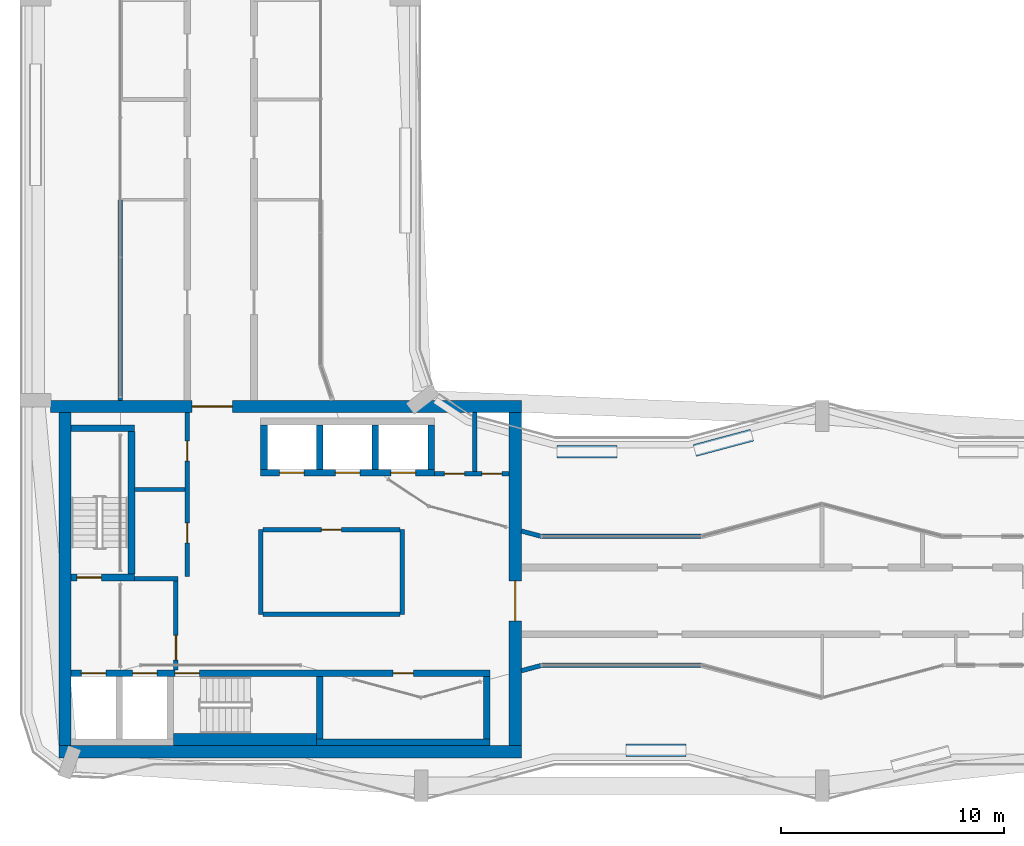
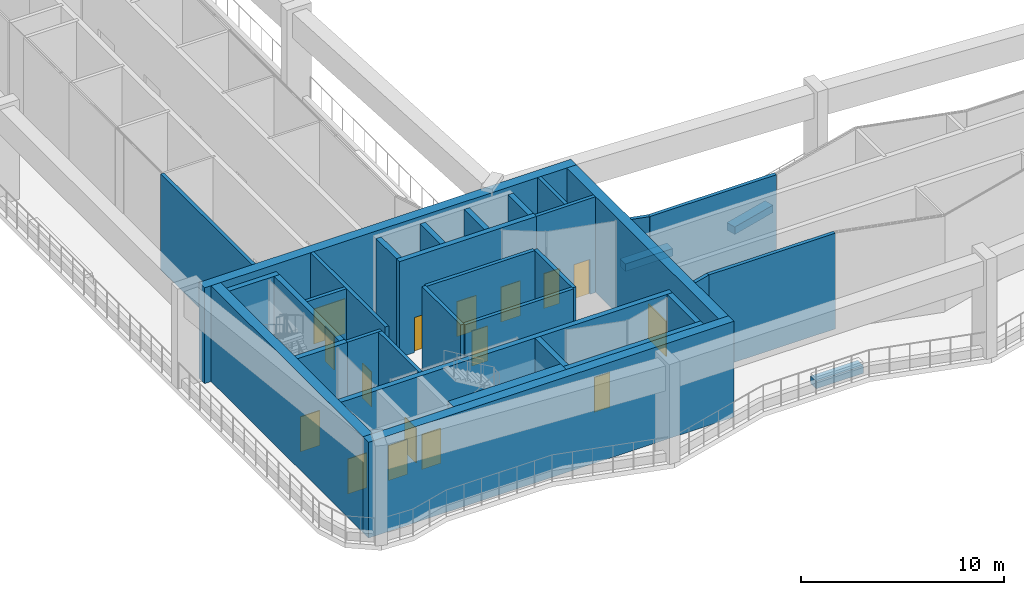
# One storey, part 10 of 17: 35 walls, 16 doors, 16 openings.
"""IFC4 building model written with IfcOpenShell, lengths in metres."""

import ifcopenshell
import ifcopenshell.guid

model = None  # the IFC model being written
_history = None  # IfcOwnerHistory: only IFC2X3 demands one
_inside = {}  # id of a spatial element -> (the spatial element, [elements in it])
_under = {}  # id of a project, library or spatial element -> (it, [spatial elements below it])
_declared = {}  # id of a project -> (the project, [libraries it declares])
_typed = {}  # id of a type object -> (the type object, [elements of that type])
_made_of = {}  # id of a material, layer set ... -> (it, [elements and type objects made of it])


def new_model(schema):
    """Start an empty IFC model of exactly this schema.

    Asked for "IFC4X3", IfcOpenShell would pick the latest addendum, in which some entities
    have other attributes; the version numbers below select the first issue.
    IFC2X3 requires an IfcOwnerHistory on every rooted entity: one is made here for all.
    """
    global model, _history
    if schema == "IFC4X3":
        model = ifcopenshell.file(schema_version=(4, 3, 0, 0))
    else:
        model = ifcopenshell.file(schema=schema)
    _inside.clear()
    _under.clear()
    _declared.clear()
    _typed.clear()
    _made_of.clear()
    _history = None
    if model.schema == "IFC2X3":
        org = make("IfcOrganization", Name="unknown")
        user = make(
            "IfcPersonAndOrganization",
            ThePerson=make("IfcPerson", FamilyName="unknown"),
            TheOrganization=org,
        )
        app = make(
            "IfcApplication",
            ApplicationDeveloper=org,
            Version="unknown",
            ApplicationFullName="unknown",
            ApplicationIdentifier="unknown",
        )
        _history = make(
            "IfcOwnerHistory",
            OwningUser=user,
            OwningApplication=app,
            ChangeAction="ADDED",
            CreationDate=0,
        )
    return model


def make(cls, **values):
    """One entity of the class cls with the attributes given. An attribute that is None is left unset."""
    return model.create_entity(
        cls, **{name: value for name, value in values.items() if value is not None}
    )


def rooted(cls, **values):
    """An entity with a GlobalId (a new one), such as an element, a storey or a relation."""
    return make(cls, GlobalId=ifcopenshell.guid.new(), OwnerHistory=_history, **values)


def si_unit(unit_type, name, prefix=None):
    """IfcSIUnit, for example si_unit("LENGTHUNIT", "METRE", prefix="MILLI")."""
    return make("IfcSIUnit", UnitType=unit_type, Prefix=prefix, Name=name)


def assignment(units):
    """IfcUnitAssignment: the units of a project."""
    return None if units is None else make("IfcUnitAssignment", Units=units)


def point(xyz):
    """IfcCartesianPoint."""
    return None if xyz is None else make("IfcCartesianPoint", Coordinates=xyz)


def direction(xyz):
    """IfcDirection."""
    return None if xyz is None else make("IfcDirection", DirectionRatios=xyz)


def frame(location, z_axis=None, x_axis=None):
    """IfcAxis2Placement3D, a coordinate frame: its origin and axes. An axis left out is left unset."""
    return make(
        "IfcAxis2Placement3D",
        Location=point(location),
        Axis=direction(z_axis),
        RefDirection=direction(x_axis),
    )


def frame_2d(location, x_axis=None):
    """IfcAxis2Placement2D, a coordinate frame in the plane: its origin and x axis."""
    return make(
        "IfcAxis2Placement2D", Location=point(location), RefDirection=direction(x_axis)
    )


def origin():
    """The frame at (0, 0, 0) with its axes left unset."""
    return frame((0.0, 0.0, 0.0))


def place(relative_to, where):
    """IfcLocalPlacement: puts the frame where relative to a parent placement (None: the world)."""
    return make(
        "IfcLocalPlacement", PlacementRelTo=relative_to, RelativePlacement=where
    )


def context(
    kind, dimensions, precision=None, world=None, true_north=None, identifier=None
):
    """IfcGeometricRepresentationContext, for example the 3D "Model" context."""
    return make(
        "IfcGeometricRepresentationContext",
        ContextIdentifier=identifier,
        ContextType=kind,
        CoordinateSpaceDimension=dimensions,
        Precision=precision,
        WorldCoordinateSystem=world,
        TrueNorth=true_north,
    )


def subcontext(parent, identifier, kind, view, scale=None):
    """IfcGeometricRepresentationSubContext, for example "Body" below "Model"."""
    return make(
        "IfcGeometricRepresentationSubContext",
        ContextIdentifier=identifier,
        ContextType=kind,
        ParentContext=parent,
        TargetScale=scale,
        TargetView=view,
    )


def project(units=None, contexts=None):
    """IfcProject with its units and contexts."""
    return rooted(
        "IfcProject",
        Name="project",
        RepresentationContexts=contexts,
        UnitsInContext=assignment(units),
    )


def spatial(cls, under=None, at=None, **own):
    """A site, building, storey or space (cls), placed at a placement, below another one or the project."""
    s = rooted(cls, ObjectPlacement=at, **own)
    if under is not None:
        _under.setdefault(under.id(), (under, []))[1].append(s)
    return s


def profile(cls, at=None, kind="AREA", **sizes):
    """A parametric profile (cls). Its sizes go by their IFC names, for example OverallWidth=200.0."""
    return make(cls, ProfileType=kind, Position=at, **sizes)


def rectangle(**sizes):
    """IfcRectangleProfileDef."""
    return profile("IfcRectangleProfileDef", **sizes)


def extrude(swept, where, along, depth):
    """IfcExtrudedAreaSolid: the profile swept, set in the frame where, extruded along a direction by depth."""
    return make(
        "IfcExtrudedAreaSolid",
        SweptArea=swept,
        Position=where,
        ExtrudedDirection=direction(along),
        Depth=depth,
    )


def shape(context_of_items, identifier, shape_type, items):
    """IfcShapeRepresentation: the items that make up one representation, for example the "Body"."""
    return make(
        "IfcShapeRepresentation",
        ContextOfItems=context_of_items,
        RepresentationIdentifier=identifier,
        RepresentationType=shape_type,
        Items=items,
    )


def material(Name=None, Category=None):
    """IfcMaterial."""
    return make("IfcMaterial", Name=Name, Category=Category)


def layer(
    of_material, thickness, ventilated=None, Name=None, Category=None, Priority=None
):
    """IfcMaterialLayer: one layer of a wall or slab, of a material (None: an air gap)."""
    return make(
        "IfcMaterialLayer",
        Material=of_material,
        LayerThickness=thickness,
        IsVentilated=ventilated,
        Name=Name,
        Category=Category,
        Priority=Priority,
    )


def layer_set(layers, Name=None):
    """IfcMaterialLayerSet."""
    return make("IfcMaterialLayerSet", MaterialLayers=layers, LayerSetName=Name)


def made_of(thing, what):
    """Note that an element or type object is made of a material, layer set ...; save() writes the relation."""
    if what is not None:
        _made_of.setdefault(what.id(), (what, []))[1].append(thing)
    return thing


def type_object(cls, material=None, **own):
    """A type object (cls), such as IfcWallType, which elements share."""
    return made_of(rooted(cls, **own), material)


def element(
    cls,
    number,
    at=None,
    inside=None,
    cuts=None,
    type_object=None,
    material=None,
    context=None,
    identifier="Body",
    shape_type=None,
    held_by="IfcProductDefinitionShape",
    body=None,
    shapes=None,
    **own,
):
    """One element of the class cls, such as IfcWall. Its Tag is "e" and its number.

    at: its placement. inside: the storey or other place that contains it. cuts: it is an
    opening in that element (IfcRelVoidsElement). A single representation is given by context,
    identifier, shape_type and body (its items); several are given by shapes. held_by: the class
    of the entity that holds the representations. save() writes the other relations.
    """
    e = rooted(cls, Tag="e%d" % number, ObjectPlacement=at, **own)
    if body is not None:
        shapes = [shape(context, identifier, shape_type, body)]
    if shapes is not None:
        e.Representation = make(held_by, Representations=shapes)
    if inside is not None:
        _inside.setdefault(inside.id(), (inside, []))[1].append(e)
    if cuts is not None:
        rooted(
            "IfcRelVoidsElement", RelatingBuildingElement=cuts, RelatedOpeningElement=e
        )
    if type_object is not None:
        _typed.setdefault(type_object.id(), (type_object, []))[1].append(e)
    return made_of(e, material)


def fill(opening, filler):
    """IfcRelFillsElement: the door or window that sits in an opening."""
    return rooted(
        "IfcRelFillsElement",
        RelatingOpeningElement=opening,
        RelatedBuildingElement=filler,
    )


def aggregate(whole, parts):
    """IfcRelAggregates: a whole, such as a stair, and the parts it consists of."""
    return rooted("IfcRelAggregates", RelatingObject=whole, RelatedObjects=parts)


def save(model, path):
    """Write the relations noted so far, then the file.

    IfcRelAggregates (storeys below a building ...), IfcRelContainedInSpatialStructure (elements
    in a storey), IfcRelDefinesByType, IfcRelAssociatesMaterial and IfcRelDeclares: one each for
    every whole, place, type object, material and project.
    """
    for whole, parts in _under.values():
        aggregate(whole, parts)
    for where, things in _inside.values():
        rooted(
            "IfcRelContainedInSpatialStructure",
            RelatedElements=things,
            RelatingStructure=where,
        )
    for kind, things in _typed.values():
        rooted("IfcRelDefinesByType", RelatedObjects=things, RelatingType=kind)
    for what, things in _made_of.values():
        rooted("IfcRelAssociatesMaterial", RelatedObjects=things, RelatingMaterial=what)
    for by, libraries in _declared.values():
        rooted("IfcRelDeclares", RelatingContext=by, RelatedDefinitions=libraries)
    model.write(path)


model = new_model("IFC4")

# Units and contexts
model_context = context("Model", 3, precision=1e-05, world=origin(), true_north=direction((0.0, 1.0)))
body_context = subcontext(model_context, "Body", "Model", "MODEL_VIEW")
ifc_project = project(units=[si_unit("LENGTHUNIT", "METRE"), si_unit("AREAUNIT", "SQUARE_METRE"), si_unit("VOLUMEUNIT", "CUBIC_METRE"), si_unit("PLANEANGLEUNIT", "RADIAN"), si_unit("MASSUNIT", "GRAM", prefix="KILO")], contexts=[model_context])

# Site, building, storey
site_placement = place(None, origin())
site = spatial("IfcSite", under=ifc_project, at=site_placement, CompositionType="ELEMENT")
building_placement = place(site_placement, origin())
building = spatial("IfcBuilding", under=site, at=building_placement, Name="Plateau Cross Towers", CompositionType="ELEMENT")
storey_placement = place(building_placement, frame((0.0, 0.0, 184.89990234375)))
storey = spatial("IfcBuildingStorey", under=building, at=storey_placement, Name="L48", CompositionType="ELEMENT", Elevation=184.89990234375)

# Wall, opening, door
ifc_material_1 = material(Name="Concrete block, plastered both sides", Category="concrete")
ifc_layer_1 = layer(ifc_material_1, 0.199951171875)
ifc_layer_set_1 = layer_set([ifc_layer_1], Name="Concrete block, plastered both sides")
wall_type_1 = type_object("IfcWallType", Name="Core partition 200", PredefinedType="PARTITIONING", material=ifc_layer_set_1)
wall_1_placement = place(storey_placement, frame((7.0, 5.89990234375, 0.0), z_axis=(0.0, 0.0, 1.0), x_axis=(0.0, 1.0, 0.0)))
wall_1 = element("IfcWall", 1, at=wall_1_placement, inside=storey, type_object=wall_type_1, Name="Core partition", PredefinedType="PARTITIONING", context=body_context, shape_type="SweptSolid", body=[
    extrude(rectangle(XDim=4.0, YDim=0.199951171875, at=frame_2d((2.0, 0.0))), origin(), (0.0, 0.0, 1.0), 5.75),
])
opening_1_placement = place(wall_1_placement, frame((0.449951171875, 0.0, 0.0)))
opening_1 = element("IfcOpeningElement", 2, at=opening_1_placement, cuts=wall_1, Name="Opening FFD", PredefinedType="OPENING", context=body_context, shape_type="SweptSolid", body=[
    extrude(rectangle(XDim=1.10009765625, YDim=2.10009765625, at=frame_2d((0.550048828125, 1.050048828125))), frame((0.0, 0.10986328125, 0.0), z_axis=(0.0, -1.0, 0.0), x_axis=(1.0, 0.0, 0.0)), (0.0, 0.0, 1.0), 0.219970703125),
])
ifc_material_2 = material(Name="Steel, fire-resisting leaf", Category="steel")
door_type_1 = type_object("IfcDoorType", Name="Firefighting lobby door 1100", OperationType="NOTDEFINED", PredefinedType="DOOR", material=ifc_material_2)
door_1_placement = place(opening_1_placement, origin())
door_1 = element("IfcDoor", 3, at=door_1_placement, inside=storey, type_object=door_type_1, Name="Firefighting lobby door FFD", OperationType="SINGLE_SWING_LEFT", OverallHeight=2.10009765625, OverallWidth=1.10009765625, PredefinedType="DOOR", context=body_context, shape_type="SweptSolid", body=[
    extrude(rectangle(XDim=1.10009765625, YDim=2.10009765625, at=frame_2d((0.550048828125, 1.050048828125))), frame((0.0, 0.02490234375, 0.0), z_axis=(0.0, -1.0, 0.0), x_axis=(1.0, 0.0, 0.0)), (0.0, 0.0, 1.0), 0.050048828125),
])
fill(opening_1, door_1)

# Walls
wall_2_placement = place(storey_placement, frame((5.14990234375, 10.0, 0.0), z_axis=(0.0, 0.0, 1.0), x_axis=(1.0, 0.0, 0.0)))
element("IfcWall", 4, at=wall_2_placement, inside=storey, type_object=wall_type_1, Name="Core partition", PredefinedType="PARTITIONING", context=body_context, shape_type="SweptSolid", body=[
    extrude(rectangle(XDim=1.9501953125, YDim=0.199951171875, at=frame_2d((0.97509765625, 0.0))), origin(), (0.0, 0.0, 1.0), 5.75),
])
wall_3_placement = place(storey_placement, frame((10.800048828125, 8.39990234375, 0.0), z_axis=(0.0, 0.0, 1.0), x_axis=(0.0, 1.0, 0.0)))
element("IfcWall", 5, at=wall_3_placement, inside=storey, type_object=wall_type_1, Name="Core partition", PredefinedType="PARTITIONING", context=body_context, shape_type="SweptSolid", body=[
    extrude(rectangle(XDim=3.800048828125, YDim=0.199951171875, at=frame_2d((1.89990234375, 0.0))), origin(), (0.0, 0.0, 1.0), 5.75),
])
wall_4_placement = place(storey_placement, frame((10.89990234375, 8.39990234375, 0.0), z_axis=(0.0, 0.0, 1.0), x_axis=(1.0, 0.0, 0.0)))
element("IfcWall", 6, at=wall_4_placement, inside=storey, type_object=wall_type_1, Name="Core partition", PredefinedType="PARTITIONING", context=body_context, shape_type="SweptSolid", body=[
    extrude(rectangle(XDim=6.150146484375, YDim=0.199951171875, at=frame_2d((3.0751953125, 0.0))), origin(), (0.0, 0.0, 1.0), 5.75),
])
wall_5_placement = place(storey_placement, frame((17.14990234375, 8.39990234375, 0.0), z_axis=(0.0, 0.0, 1.0), x_axis=(0.0, 1.0, 0.0)))
element("IfcWall", 7, at=wall_5_placement, inside=storey, type_object=wall_type_1, Name="Core partition", PredefinedType="PARTITIONING", context=body_context, shape_type="SweptSolid", body=[
    extrude(rectangle(XDim=3.800048828125, YDim=0.199951171875, at=frame_2d((1.89990234375, 0.0))), origin(), (0.0, 0.0, 1.0), 5.75),
])

# Wall, opening, door
wall_6_placement = place(storey_placement, frame((10.89990234375, 12.199951171875, 0.0), z_axis=(0.0, 0.0, 1.0), x_axis=(1.0, 0.0, 0.0)))
wall_6 = element("IfcWall", 8, at=wall_6_placement, inside=storey, type_object=wall_type_1, Name="Core partition", PredefinedType="PARTITIONING", context=body_context, shape_type="SweptSolid", body=[
    extrude(rectangle(XDim=6.150146484375, YDim=0.199951171875, at=frame_2d((3.0751953125, 0.0))), origin(), (0.0, 0.0, 1.0), 5.75),
])
opening_2_placement = place(wall_6_placement, frame((2.625, 0.0, 0.0)))
opening_2 = element("IfcOpeningElement", 9, at=opening_2_placement, cuts=wall_6, Name="Opening RD1", PredefinedType="OPENING", context=body_context, shape_type="SweptSolid", body=[
    extrude(rectangle(XDim=0.89990234375, YDim=2.10009765625, at=frame_2d((0.449951171875, 1.050048828125))), frame((0.0, 0.10986328125, 0.0), z_axis=(0.0, -1.0, 0.0), x_axis=(1.0, 0.0, 0.0)), (0.0, 0.0, 1.0), 0.219970703125),
])
ifc_material_3 = material(Name="Timber, fire-resisting leaf", Category="wood")
door_type_2 = type_object("IfcDoorType", Name="Core service door 900", OperationType="NOTDEFINED", PredefinedType="DOOR", material=ifc_material_3)
door_2_placement = place(opening_2_placement, origin())
door_2 = element("IfcDoor", 10, at=door_2_placement, inside=storey, type_object=door_type_2, Name="Core service door RD1", OperationType="SINGLE_SWING_LEFT", OverallHeight=2.10009765625, OverallWidth=0.89990234375, PredefinedType="DOOR", context=body_context, shape_type="SweptSolid", body=[
    extrude(rectangle(XDim=0.89990234375, YDim=2.10009765625, at=frame_2d((0.449951171875, 1.050048828125))), frame((0.0, 0.02490234375, 0.0), z_axis=(0.0, -1.0, 0.0), x_axis=(1.0, 0.0, 0.0)), (0.0, 0.0, 1.0), 0.050048828125),
])
fill(opening_2, door_2)

# Wall, openings, doors
wall_7_placement = place(storey_placement, frame((7.5, 10.10009765625, 0.0), z_axis=(0.0, 0.0, 1.0), x_axis=(0.0, 1.0, 0.0)))
wall_7 = element("IfcWall", 11, at=wall_7_placement, inside=storey, type_object=wall_type_1, Name="Core partition", PredefinedType="PARTITIONING", context=body_context, shape_type="SweptSolid", body=[
    extrude(rectangle(XDim=7.349853515625, YDim=0.199951171875, at=frame_2d((3.6748046875, 0.0))), origin(), (0.0, 0.0, 1.0), 5.75),
])
opening_3_placement = place(wall_7_placement, frame((1.5, 0.0, 0.0)))
opening_3 = element("IfcOpeningElement", 12, at=opening_3_placement, cuts=wall_7, Name="Opening RD1", PredefinedType="OPENING", context=body_context, shape_type="SweptSolid", body=[
    extrude(rectangle(XDim=0.89990234375, YDim=2.10009765625, at=frame_2d((0.449951171875, 1.050048828125))), frame((0.0, 0.10986328125, 0.0), z_axis=(0.0, -1.0, 0.0), x_axis=(1.0, 0.0, 0.0)), (0.0, 0.0, 1.0), 0.219970703125),
])
opening_4_placement = place(wall_7_placement, frame((5.175048828125, 0.0, 0.0)))
opening_4 = element("IfcOpeningElement", 13, at=opening_4_placement, cuts=wall_7, Name="Opening RD1", PredefinedType="OPENING", context=body_context, shape_type="SweptSolid", body=[
    extrude(rectangle(XDim=0.89990234375, YDim=2.10009765625, at=frame_2d((0.449951171875, 1.050048828125))), frame((0.0, 0.10986328125, 0.0), z_axis=(0.0, -1.0, 0.0), x_axis=(1.0, 0.0, 0.0)), (0.0, 0.0, 1.0), 0.219970703125),
])
door_3_placement = place(opening_3_placement, origin())
door_3 = element("IfcDoor", 14, at=door_3_placement, inside=storey, type_object=door_type_2, Name="Core service door RD1", OperationType="SINGLE_SWING_RIGHT", OverallHeight=2.10009765625, OverallWidth=0.89990234375, PredefinedType="DOOR", context=body_context, shape_type="SweptSolid", body=[
    extrude(rectangle(XDim=0.89990234375, YDim=2.10009765625, at=frame_2d((0.449951171875, 1.050048828125))), frame((0.0, 0.02490234375, 0.0), z_axis=(0.0, -1.0, 0.0), x_axis=(1.0, 0.0, 0.0)), (0.0, 0.0, 1.0), 0.050048828125),
])
fill(opening_3, door_3)
door_4_placement = place(opening_4_placement, origin())
door_4 = element("IfcDoor", 15, at=door_4_placement, inside=storey, type_object=door_type_2, Name="Core service door RD1", OperationType="SINGLE_SWING_RIGHT", OverallHeight=2.10009765625, OverallWidth=0.89990234375, PredefinedType="DOOR", context=body_context, shape_type="SweptSolid", body=[
    extrude(rectangle(XDim=0.89990234375, YDim=2.10009765625, at=frame_2d((0.449951171875, 1.050048828125))), frame((0.0, 0.02490234375, 0.0), z_axis=(0.0, -1.0, 0.0), x_axis=(1.0, 0.0, 0.0)), (0.0, 0.0, 1.0), 0.050048828125),
])
fill(opening_4, door_4)

# Wall
wall_8_placement = place(storey_placement, frame((5.14990234375, 14.0, 0.0), z_axis=(0.0, 0.0, 1.0), x_axis=(1.0, 0.0, 0.0)))
element("IfcWall", 16, at=wall_8_placement, inside=storey, type_object=wall_type_1, Name="Core partition", PredefinedType="PARTITIONING", context=body_context, shape_type="SweptSolid", body=[
    extrude(rectangle(XDim=2.25, YDim=0.199951171875, at=frame_2d((1.125, 0.0))), origin(), (0.0, 0.0, 1.0), 5.75),
])

# Wall, openings, doors
wall_9_placement = place(storey_placement, frame((18.60009765625, 14.699951171875, 0.0), z_axis=(0.0, 0.0, 1.0), x_axis=(1.0, 0.0, 0.0)))
wall_9 = element("IfcWall", 17, at=wall_9_placement, inside=storey, type_object=wall_type_1, Name="Core partition", PredefinedType="PARTITIONING", context=body_context, shape_type="SweptSolid", body=[
    extrude(rectangle(XDim=3.349853515625, YDim=0.199951171875, at=frame_2d((1.6748046875, 0.0))), origin(), (0.0, 0.0, 1.0), 5.75),
])
opening_5_placement = place(wall_9_placement, frame((0.449951171875, 0.0, 0.0)))
opening_5 = element("IfcOpeningElement", 18, at=opening_5_placement, cuts=wall_9, Name="Opening RD2", PredefinedType="OPENING", context=body_context, shape_type="SweptSolid", body=[
    extrude(rectangle(XDim=0.89990234375, YDim=2.10009765625, at=frame_2d((0.449951171875, 1.050048828125))), frame((0.0, 0.10986328125, 0.0), z_axis=(0.0, -1.0, 0.0), x_axis=(1.0, 0.0, 0.0)), (0.0, 0.0, 1.0), 0.219970703125),
])
opening_6_placement = place(wall_9_placement, frame((2.125, 0.0, 0.0)))
opening_6 = element("IfcOpeningElement", 19, at=opening_6_placement, cuts=wall_9, Name="Opening RD2", PredefinedType="OPENING", context=body_context, shape_type="SweptSolid", body=[
    extrude(rectangle(XDim=0.89990234375, YDim=2.10009765625, at=frame_2d((0.449951171875, 1.050048828125))), frame((0.0, 0.10986328125, 0.0), z_axis=(0.0, -1.0, 0.0), x_axis=(1.0, 0.0, 0.0)), (0.0, 0.0, 1.0), 0.219970703125),
])
door_type_3 = type_object("IfcDoorType", Name="Core riser door 900", OperationType="NOTDEFINED", PredefinedType="DOOR", material=ifc_material_2)
door_5_placement = place(opening_5_placement, origin())
door_5 = element("IfcDoor", 20, at=door_5_placement, inside=storey, type_object=door_type_3, Name="Core riser door RD2", OperationType="SINGLE_SWING_LEFT", OverallHeight=2.10009765625, OverallWidth=0.89990234375, PredefinedType="DOOR", context=body_context, shape_type="SweptSolid", body=[
    extrude(rectangle(XDim=0.89990234375, YDim=2.10009765625, at=frame_2d((0.449951171875, 1.050048828125))), frame((0.0, 0.02490234375, 0.0), z_axis=(0.0, -1.0, 0.0), x_axis=(1.0, 0.0, 0.0)), (0.0, 0.0, 1.0), 0.050048828125),
])
fill(opening_5, door_5)
door_6_placement = place(opening_6_placement, origin())
door_6 = element("IfcDoor", 21, at=door_6_placement, inside=storey, type_object=door_type_3, Name="Core riser door RD2", OperationType="SINGLE_SWING_LEFT", OverallHeight=2.10009765625, OverallWidth=0.89990234375, PredefinedType="DOOR", context=body_context, shape_type="SweptSolid", body=[
    extrude(rectangle(XDim=0.89990234375, YDim=2.10009765625, at=frame_2d((0.449951171875, 1.050048828125))), frame((0.0, 0.02490234375, 0.0), z_axis=(0.0, -1.0, 0.0), x_axis=(1.0, 0.0, 0.0)), (0.0, 0.0, 1.0), 0.050048828125),
])
fill(opening_6, door_6)

# Walls
wall_10_placement = place(storey_placement, frame((20.39990234375, 14.800048828125, 0.0), z_axis=(0.0, 0.0, 1.0), x_axis=(0.0, 1.0, 0.0)))
element("IfcWall", 22, at=wall_10_placement, inside=storey, type_object=wall_type_1, Name="Core partition", PredefinedType="PARTITIONING", context=body_context, shape_type="SweptSolid", body=[
    extrude(rectangle(XDim=2.64990234375, YDim=0.199951171875, at=frame_2d((1.324951171875, 0.0))), origin(), (0.0, 0.0, 1.0), 5.75),
])
ifc_material_4 = material(Name="Concrete C60/75", Category="concrete")
ifc_layer_2 = layer(ifc_material_4, 0.300048828125)
ifc_layer_set_2 = layer_set([ifc_layer_2], Name="Concrete C60/75")
wall_type_2 = type_object("IfcWallType", Name="Core shaft wall 300", PredefinedType="SHEAR", material=ifc_layer_set_2)
wall_11_placement = place(storey_placement, frame((13.300048828125, 2.64990234375, 0.0), z_axis=(0.0, 0.0, 1.0), x_axis=(1.0, 0.0, 0.0)))
element("IfcWall", 23, at=wall_11_placement, inside=storey, type_object=wall_type_2, Name="A-sb-back3@L48", PredefinedType="SHEAR", context=body_context, shape_type="SweptSolid", body=[
    extrude(rectangle(XDim=7.800048828125, YDim=0.300048828125, at=frame_2d((3.89990234375, 0.0))), origin(), (0.0, 0.0, 1.0), 5.75),
])
for number, where, z_axis, x_axis, name in (
    (24, (13.449951171875, 2.800048828125, 0.0), (0.0, 0.0, 1.0), (0.0, 1.0, 0.0), "A-sb-v3@L48"),
    (25, (20.949951171875, 2.800048828125, 0.0), (0.0, 0.0, 1.0), (0.0, 1.0, 0.0), "A-sb-v6@L48"),
):
    element("IfcWall", number, at=place(storey_placement, frame(where, z_axis=z_axis, x_axis=x_axis)), inside=storey, type_object=wall_type_2, Name=name, PredefinedType="SHEAR", context=body_context, shape_type="SweptSolid", body=[
        extrude(rectangle(XDim=2.800048828125, YDim=0.300048828125, at=frame_2d((1.39990234375, 0.0))), origin(), (0.0, 0.0, 1.0), 5.75),
    ])

# Wall, openings, doors
wall_12_placement = place(storey_placement, frame((2.300048828125, 5.75, 0.0), z_axis=(0.0, 0.0, 1.0), x_axis=(1.0, 0.0, 0.0)))
wall_12 = element("IfcWall", 26, at=wall_12_placement, inside=storey, type_object=wall_type_2, Name="A-sb-front@L48", PredefinedType="SHEAR", context=body_context, shape_type="SweptSolid", body=[
    extrude(rectangle(XDim=18.800048828125, YDim=0.300048828125, at=frame_2d((9.39990234375, 0.0))), origin(), (0.0, 0.0, 1.0), 5.75),
])
opening_7_placement = place(wall_12_placement, frame((4.64990234375, 0.0, 0.0)))
opening_7 = element("IfcOpeningElement", 27, at=opening_7_placement, cuts=wall_12, Name="Opening SD", PredefinedType="OPENING", context=body_context, shape_type="SweptSolid", body=[
    extrude(rectangle(XDim=1.10009765625, YDim=2.10009765625, at=frame_2d((0.550048828125, 1.050048828125))), frame((0.0, 0.159912109375, 0.0), z_axis=(0.0, -1.0, 0.0), x_axis=(1.0, 0.0, 0.0)), (0.0, 0.0, 1.0), 0.320068359375),
])
opening_8_placement = place(wall_12_placement, frame((0.449951171875, 0.0, 0.0)))
opening_8 = element("IfcOpeningElement", 28, at=opening_8_placement, cuts=wall_12, Name="Opening LD", PredefinedType="OPENING", context=body_context, shape_type="SweptSolid", body=[
    extrude(rectangle(XDim=1.10009765625, YDim=2.10009765625, at=frame_2d((0.550048828125, 1.050048828125))), frame((0.0, 0.159912109375, 0.0), z_axis=(0.0, -1.0, 0.0), x_axis=(1.0, 0.0, 0.0)), (0.0, 0.0, 1.0), 0.320068359375),
])
opening_9_placement = place(wall_12_placement, frame((2.75, 0.0, 0.0)))
opening_9 = element("IfcOpeningElement", 29, at=opening_9_placement, cuts=wall_12, Name="Opening LD", PredefinedType="OPENING", context=body_context, shape_type="SweptSolid", body=[
    extrude(rectangle(XDim=1.10009765625, YDim=2.10009765625, at=frame_2d((0.550048828125, 1.050048828125))), frame((0.0, 0.159912109375, 0.0), z_axis=(0.0, -1.0, 0.0), x_axis=(1.0, 0.0, 0.0)), (0.0, 0.0, 1.0), 0.320068359375),
])
opening_10_placement = place(wall_12_placement, frame((14.449951171875, 0.0, 0.0)))
opening_10 = element("IfcOpeningElement", 30, at=opening_10_placement, cuts=wall_12, Name="Opening RD2", PredefinedType="OPENING", context=body_context, shape_type="SweptSolid", body=[
    extrude(rectangle(XDim=0.89990234375, YDim=2.10009765625, at=frame_2d((0.449951171875, 1.050048828125))), frame((0.0, 0.159912109375, 0.0), z_axis=(0.0, -1.0, 0.0), x_axis=(1.0, 0.0, 0.0)), (0.0, 0.0, 1.0), 0.320068359375),
])
door_7_placement = place(opening_10_placement, origin())
door_7 = element("IfcDoor", 31, at=door_7_placement, inside=storey, type_object=door_type_3, Name="Core riser door RD2", OperationType="SINGLE_SWING_LEFT", OverallHeight=2.10009765625, OverallWidth=0.89990234375, PredefinedType="DOOR", context=body_context, shape_type="SweptSolid", body=[
    extrude(rectangle(XDim=0.89990234375, YDim=2.10009765625, at=frame_2d((0.449951171875, 1.050048828125))), frame((0.0, 0.02490234375, 0.0), z_axis=(0.0, -1.0, 0.0), x_axis=(1.0, 0.0, 0.0)), (0.0, 0.0, 1.0), 0.050048828125),
])
fill(opening_10, door_7)
ifc_material_5 = material(Name="Stainless steel, fire-resisting sliding leaves", Category="steel")
door_type_4 = type_object("IfcDoorType", Name="Lift landing door 1100", OperationType="NOTDEFINED", PredefinedType="DOOR", material=ifc_material_5)
door_8_placement = place(opening_8_placement, origin())
door_8 = element("IfcDoor", 32, at=door_8_placement, inside=storey, type_object=door_type_4, Name="Lift landing door LD", OperationType="DOUBLE_DOOR_SLIDING", OverallHeight=2.10009765625, OverallWidth=1.10009765625, PredefinedType="DOOR", context=body_context, shape_type="SweptSolid", body=[
    extrude(rectangle(XDim=1.10009765625, YDim=2.10009765625, at=frame_2d((0.550048828125, 1.050048828125))), frame((0.0, 0.02490234375, 0.0), z_axis=(0.0, -1.0, 0.0), x_axis=(1.0, 0.0, 0.0)), (0.0, 0.0, 1.0), 0.050048828125),
])
fill(opening_8, door_8)
door_9_placement = place(opening_9_placement, origin())
door_9 = element("IfcDoor", 33, at=door_9_placement, inside=storey, type_object=door_type_4, Name="Lift landing door LD", OperationType="DOUBLE_DOOR_SLIDING", OverallHeight=2.10009765625, OverallWidth=1.10009765625, PredefinedType="DOOR", context=body_context, shape_type="SweptSolid", body=[
    extrude(rectangle(XDim=1.10009765625, YDim=2.10009765625, at=frame_2d((0.550048828125, 1.050048828125))), frame((0.0, 0.02490234375, 0.0), z_axis=(0.0, -1.0, 0.0), x_axis=(1.0, 0.0, 0.0)), (0.0, 0.0, 1.0), 0.050048828125),
])
fill(opening_9, door_9)
door_type_5 = type_object("IfcDoorType", Name="Stair door 1100", OperationType="NOTDEFINED", PredefinedType="DOOR", material=ifc_material_2)
door_10_placement = place(opening_7_placement, origin())
door_10 = element("IfcDoor", 34, at=door_10_placement, inside=storey, type_object=door_type_5, Name="Stair door SD", OperationType="SINGLE_SWING_LEFT", OverallHeight=2.10009765625, OverallWidth=1.10009765625, PredefinedType="DOOR", context=body_context, shape_type="SweptSolid", body=[
    extrude(rectangle(XDim=1.10009765625, YDim=2.10009765625, at=frame_2d((0.550048828125, 1.050048828125))), frame((0.0, 0.02490234375, 0.0), z_axis=(0.0, -1.0, 0.0), x_axis=(1.0, 0.0, 0.0)), (0.0, 0.0, 1.0), 0.050048828125),
])
fill(opening_7, door_10)

# Wall, opening, door
wall_13_placement = place(storey_placement, frame((2.300048828125, 10.050048828125, 0.0), z_axis=(0.0, 0.0, 1.0), x_axis=(1.0, 0.0, 0.0)))
wall_13 = element("IfcWall", 35, at=wall_13_placement, inside=storey, type_object=wall_type_2, Name="A-st1-S@L48", PredefinedType="SHEAR", context=body_context, shape_type="SweptSolid", body=[
    extrude(rectangle(XDim=2.849853515625, YDim=0.300048828125, at=frame_2d((1.4248046875, 0.0))), origin(), (0.0, 0.0, 1.0), 5.75),
])
opening_11_placement = place(wall_13_placement, frame((0.25, 0.0, 0.0)))
opening_11 = element("IfcOpeningElement", 36, at=opening_11_placement, cuts=wall_13, Name="Opening SD", PredefinedType="OPENING", context=body_context, shape_type="SweptSolid", body=[
    extrude(rectangle(XDim=1.10009765625, YDim=2.10009765625, at=frame_2d((0.550048828125, 1.050048828125))), frame((0.0, 0.159912109375, 0.0), z_axis=(0.0, -1.0, 0.0), x_axis=(1.0, 0.0, 0.0)), (0.0, 0.0, 1.0), 0.320068359375),
])
door_11_placement = place(opening_11_placement, origin())
door_11 = element("IfcDoor", 37, at=door_11_placement, inside=storey, type_object=door_type_5, Name="Stair door SD", OperationType="SINGLE_SWING_RIGHT", OverallHeight=2.10009765625, OverallWidth=1.10009765625, PredefinedType="DOOR", context=body_context, shape_type="SweptSolid", body=[
    extrude(rectangle(XDim=1.10009765625, YDim=2.10009765625, at=frame_2d((0.550048828125, 1.050048828125))), frame((0.0, 0.02490234375, 0.0), z_axis=(0.0, -1.0, 0.0), x_axis=(1.0, 0.0, 0.0)), (0.0, 0.0, 1.0), 0.050048828125),
])
fill(opening_11, door_11)

# Walls
wall_14_placement = place(storey_placement, frame((5.0, 10.199951171875, 0.0), z_axis=(0.0, 0.0, 1.0), x_axis=(0.0, 1.0, 0.0)))
element("IfcWall", 38, at=wall_14_placement, inside=storey, type_object=wall_type_2, Name="A-st1-E@L48", PredefinedType="SHEAR", context=body_context, shape_type="SweptSolid", body=[
    extrude(rectangle(XDim=6.400146484375, YDim=0.300048828125, at=frame_2d((3.2001953125, 0.0))), origin(), (0.0, 0.0, 1.0), 5.75),
])
wall_15_placement = place(storey_placement, frame((2.300048828125, 16.75, 0.0), z_axis=(0.0, 0.0, 1.0), x_axis=(1.0, 0.0, 0.0)))
element("IfcWall", 39, at=wall_15_placement, inside=storey, type_object=wall_type_2, Name="A-st1-N@L48", PredefinedType="SHEAR", context=body_context, shape_type="SweptSolid", body=[
    extrude(rectangle(XDim=2.849853515625, YDim=0.300048828125, at=frame_2d((1.4248046875, 0.0))), origin(), (0.0, 0.0, 1.0), 5.75),
])

# Wall, openings, doors
wall_16_placement = place(storey_placement, frame((10.800048828125, 14.75, 0.0), z_axis=(0.0, 0.0, 1.0), x_axis=(1.0, 0.0, 0.0)))
wall_16 = element("IfcWall", 40, at=wall_16_placement, inside=storey, type_object=wall_type_2, Name="A-nb-front@L48", PredefinedType="SHEAR", context=body_context, shape_type="SweptSolid", body=[
    extrude(rectangle(XDim=7.800048828125, YDim=0.300048828125, at=frame_2d((3.89990234375, 0.0))), origin(), (0.0, 0.0, 1.0), 5.75),
])
opening_12_placement = place(wall_16_placement, frame((0.85009765625, 0.0, 0.0)))
opening_12 = element("IfcOpeningElement", 41, at=opening_12_placement, cuts=wall_16, Name="Opening LD", PredefinedType="OPENING", context=body_context, shape_type="SweptSolid", body=[
    extrude(rectangle(XDim=1.10009765625, YDim=2.10009765625, at=frame_2d((0.550048828125, 1.050048828125))), frame((0.0, 0.159912109375, 0.0), z_axis=(0.0, -1.0, 0.0), x_axis=(1.0, 0.0, 0.0)), (0.0, 0.0, 1.0), 0.320068359375),
])
opening_13_placement = place(wall_16_placement, frame((3.35009765625, 0.0, 0.0)))
opening_13 = element("IfcOpeningElement", 42, at=opening_13_placement, cuts=wall_16, Name="Opening LD", PredefinedType="OPENING", context=body_context, shape_type="SweptSolid", body=[
    extrude(rectangle(XDim=1.10009765625, YDim=2.10009765625, at=frame_2d((0.550048828125, 1.050048828125))), frame((0.0, 0.159912109375, 0.0), z_axis=(0.0, -1.0, 0.0), x_axis=(1.0, 0.0, 0.0)), (0.0, 0.0, 1.0), 0.320068359375),
])
opening_14_placement = place(wall_16_placement, frame((5.85009765625, 0.0, 0.0)))
opening_14 = element("IfcOpeningElement", 43, at=opening_14_placement, cuts=wall_16, Name="Opening LD", PredefinedType="OPENING", context=body_context, shape_type="SweptSolid", body=[
    extrude(rectangle(XDim=1.10009765625, YDim=2.10009765625, at=frame_2d((0.550048828125, 1.050048828125))), frame((0.0, 0.159912109375, 0.0), z_axis=(0.0, -1.0, 0.0), x_axis=(1.0, 0.0, 0.0)), (0.0, 0.0, 1.0), 0.320068359375),
])
door_12_placement = place(opening_12_placement, origin())
door_12 = element("IfcDoor", 44, at=door_12_placement, inside=storey, type_object=door_type_4, Name="Lift landing door LD", OperationType="DOUBLE_DOOR_SLIDING", OverallHeight=2.10009765625, OverallWidth=1.10009765625, PredefinedType="DOOR", context=body_context, shape_type="SweptSolid", body=[
    extrude(rectangle(XDim=1.10009765625, YDim=2.10009765625, at=frame_2d((0.550048828125, 1.050048828125))), frame((0.0, 0.02490234375, 0.0), z_axis=(0.0, -1.0, 0.0), x_axis=(1.0, 0.0, 0.0)), (0.0, 0.0, 1.0), 0.050048828125),
])
fill(opening_12, door_12)
door_13_placement = place(opening_13_placement, origin())
door_13 = element("IfcDoor", 45, at=door_13_placement, inside=storey, type_object=door_type_4, Name="Lift landing door LD", OperationType="DOUBLE_DOOR_SLIDING", OverallHeight=2.10009765625, OverallWidth=1.10009765625, PredefinedType="DOOR", context=body_context, shape_type="SweptSolid", body=[
    extrude(rectangle(XDim=1.10009765625, YDim=2.10009765625, at=frame_2d((0.550048828125, 1.050048828125))), frame((0.0, 0.02490234375, 0.0), z_axis=(0.0, -1.0, 0.0), x_axis=(1.0, 0.0, 0.0)), (0.0, 0.0, 1.0), 0.050048828125),
])
fill(opening_13, door_13)
door_14_placement = place(opening_14_placement, origin())
door_14 = element("IfcDoor", 46, at=door_14_placement, inside=storey, type_object=door_type_4, Name="Lift landing door LD", OperationType="DOUBLE_DOOR_SLIDING", OverallHeight=2.10009765625, OverallWidth=1.10009765625, PredefinedType="DOOR", context=body_context, shape_type="SweptSolid", body=[
    extrude(rectangle(XDim=1.10009765625, YDim=2.10009765625, at=frame_2d((0.550048828125, 1.050048828125))), frame((0.0, 0.02490234375, 0.0), z_axis=(0.0, -1.0, 0.0), x_axis=(1.0, 0.0, 0.0)), (0.0, 0.0, 1.0), 0.050048828125),
])
fill(opening_14, door_14)

# Walls
for number, where, z_axis, x_axis, name in (
    (47, (10.949951171875, 14.89990234375, 0.0), (0.0, 0.0, 1.0), (0.0, 1.0, 0.0), "A-nb-v1@L48"),
    (48, (13.449951171875, 14.89990234375, 0.0), (0.0, 0.0, 1.0), (0.0, 1.0, 0.0), "A-nb-v2@L48"),
    (49, (15.949951171875, 14.89990234375, 0.0), (0.0, 0.0, 1.0), (0.0, 1.0, 0.0), "A-nb-v3@L48"),
    (50, (18.449951171875, 14.89990234375, 0.0), (0.0, 0.0, 1.0), (0.0, 1.0, 0.0), "A-nb-v4@L48"),
):
    element("IfcWall", number, at=place(storey_placement, frame(where, z_axis=z_axis, x_axis=x_axis)), inside=storey, type_object=wall_type_2, Name=name, PredefinedType="SHEAR", context=body_context, shape_type="SweptSolid", body=[
        extrude(rectangle(XDim=2.0, YDim=0.300048828125, at=frame_2d((1.0, 0.0))), origin(), (0.0, 0.0, 1.0), 5.75),
    ])
ifc_layer_3 = layer(ifc_material_4, 0.550048828125)
ifc_layer_set_3 = layer_set([ifc_layer_3], Name="Concrete C60/75")
wall_type_3 = type_object("IfcWallType", Name="Core shaft wall 550", PredefinedType="SHEAR", material=ifc_layer_set_3)
wall_17_placement = place(storey_placement, frame((6.89990234375, 2.77490234375, 0.0), z_axis=(0.0, 0.0, 1.0), x_axis=(1.0, 0.0, 0.0)))
element("IfcWall", 51, at=wall_17_placement, inside=storey, type_object=wall_type_3, Name="A-sb-back2@L48", PredefinedType="SHEAR", context=body_context, shape_type="SweptSolid", body=[
    extrude(rectangle(XDim=6.400146484375, YDim=0.550048828125, at=frame_2d((3.2001953125, 0.0))), origin(), (0.0, 0.0, 1.0), 5.75),
])
ifc_layer_4 = layer(ifc_material_4, 0.550048828125)
ifc_layer_set_4 = layer_set([ifc_layer_4], Name="Concrete C60/75")
wall_type_4 = type_object("IfcWallType", Name="Core shell wall 550", PredefinedType="SHEAR", material=ifc_layer_set_4)
wall_18_placement = place(storey_placement, frame((1.75, 2.22509765625, 0.0), z_axis=(0.0, 0.0, 1.0), x_axis=(1.0, 0.0, 0.0)))
element("IfcWall", 52, at=wall_18_placement, inside=storey, type_object=wall_type_4, Name="A-core-S@L48", PredefinedType="SHEAR", context=body_context, shape_type="SweptSolid", body=[
    extrude(rectangle(XDim=20.75, YDim=0.550048828125, at=frame_2d((10.375, 0.0))), origin(), (0.0, 0.0, 1.0), 5.75),
])

# Wall, opening, door
wall_19_placement = place(storey_placement, frame((1.3798828125, 17.72509765625, 0.0), z_axis=(0.0, 0.0, 1.0), x_axis=(1.0, 0.0, 0.0)))
wall_19 = element("IfcWall", 53, at=wall_19_placement, inside=storey, type_object=wall_type_4, Name="A-core-N@L48", PredefinedType="SHEAR", context=body_context, shape_type="SweptSolid", body=[
    extrude(rectangle(XDim=21.1201171875, YDim=0.550048828125, at=frame_2d((10.56005859375, 0.0))), origin(), (0.0, 0.0, 1.0), 5.75),
])
opening_15_placement = place(wall_19_placement, frame((6.35009765625, 0.0, 0.0)))
opening_15 = element("IfcOpeningElement", 54, at=opening_15_placement, cuts=wall_19, Name="Opening CD", PredefinedType="OPENING", context=body_context, shape_type="SweptSolid", body=[
    extrude(rectangle(XDim=1.800048828125, YDim=2.10009765625, at=frame_2d((0.89990234375, 1.050048828125))), frame((0.0, 0.284912109375, 0.0), z_axis=(0.0, -1.0, 0.0), x_axis=(1.0, 0.0, 0.0)), (0.0, 0.0, 1.0), 0.570068359375),
])
ifc_material_6 = material(Name="Steel, fire-resisting leaves", Category="steel")
door_type_6 = type_object("IfcDoorType", Name="Corridor door pair 1800", OperationType="NOTDEFINED", PredefinedType="DOOR", material=ifc_material_6)
door_15_placement = place(opening_15_placement, origin())
door_15 = element("IfcDoor", 55, at=door_15_placement, inside=storey, type_object=door_type_6, Name="Corridor door pair CD", OperationType="DOUBLE_DOOR_SINGLE_SWING", OverallHeight=2.10009765625, OverallWidth=1.800048828125, PredefinedType="DOOR", context=body_context, shape_type="SweptSolid", body=[
    extrude(rectangle(XDim=1.800048828125, YDim=2.10009765625, at=frame_2d((0.89990234375, 1.050048828125))), frame((0.0, 0.02490234375, 0.0), z_axis=(0.0, -1.0, 0.0), x_axis=(1.0, 0.0, 0.0)), (0.0, 0.0, 1.0), 0.050048828125),
])
fill(opening_15, door_15)

# Wall
wall_20_placement = place(storey_placement, frame((2.02490234375, 2.5, 0.0), z_axis=(0.0, 0.0, 1.0), x_axis=(0.0, 1.0, 0.0)))
element("IfcWall", 56, at=wall_20_placement, inside=storey, type_object=wall_type_4, Name="A-core-W@L48", PredefinedType="SHEAR", context=body_context, shape_type="SweptSolid", body=[
    extrude(rectangle(XDim=14.949951171875, YDim=0.550048828125, at=frame_2d((7.47509765625, 0.0))), origin(), (0.0, 0.0, 1.0), 5.75),
])

# Wall, opening, door
wall_21_placement = place(storey_placement, frame((22.22509765625, 2.5, 0.0), z_axis=(0.0, 0.0, 1.0), x_axis=(0.0, 1.0, 0.0)))
wall_21 = element("IfcWall", 57, at=wall_21_placement, inside=storey, type_object=wall_type_4, Name="A-core-E@L48", PredefinedType="SHEAR", context=body_context, shape_type="SweptSolid", body=[
    extrude(rectangle(XDim=14.949951171875, YDim=0.550048828125, at=frame_2d((7.47509765625, 0.0))), origin(), (0.0, 0.0, 1.0), 5.75),
])
opening_16_placement = place(wall_21_placement, frame((5.60009765625, 0.0, 0.0)))
opening_16 = element("IfcOpeningElement", 58, at=opening_16_placement, cuts=wall_21, Name="Opening CD", PredefinedType="OPENING", context=body_context, shape_type="SweptSolid", body=[
    extrude(rectangle(XDim=1.800048828125, YDim=2.10009765625, at=frame_2d((0.89990234375, 1.050048828125))), frame((0.0, 0.284912109375, 0.0), z_axis=(0.0, -1.0, 0.0), x_axis=(1.0, 0.0, 0.0)), (0.0, 0.0, 1.0), 0.570068359375),
])
door_16_placement = place(opening_16_placement, origin())
door_16 = element("IfcDoor", 59, at=door_16_placement, inside=storey, type_object=door_type_6, Name="Corridor door pair CD", OperationType="DOUBLE_DOOR_SINGLE_SWING", OverallHeight=2.10009765625, OverallWidth=1.800048828125, PredefinedType="DOOR", context=body_context, shape_type="SweptSolid", body=[
    extrude(rectangle(XDim=1.800048828125, YDim=2.10009765625, at=frame_2d((0.89990234375, 1.050048828125))), frame((0.0, 0.02490234375, 0.0), z_axis=(0.0, -1.0, 0.0), x_axis=(1.0, 0.0, 0.0)), (0.0, 0.0, 1.0), 0.050048828125),
])
fill(opening_16, door_16)

# Walls
ifc_material_7 = material(Name="Concrete C30/37", Category="concrete")
ifc_layer_5 = layer(ifc_material_7, 0.550048828125)
ifc_layer_set_5 = layer_set([ifc_layer_5], Name="Concrete C30/37")
wall_type_5 = type_object("IfcWallType", Name="Planter upstand 550", PredefinedType="STANDARD", material=ifc_layer_set_5)
wall_22_placement = place(storey_placement, frame((24.108642578125, 15.697998046875, 0.0), z_axis=(0.0, 0.0, 1.0), x_axis=(1.0, 0.0, 0.0)))
element("IfcWall", 60, at=wall_22_placement, inside=storey, type_object=wall_type_5, Name="Planter 5", PredefinedType="STANDARD", context=body_context, shape_type="SweptSolid", body=[
    extrude(rectangle(XDim=2.69140625, YDim=0.550048828125, at=frame_2d((1.345703125, 0.0))), origin(), (0.0, 0.0, 1.0), 0.4501953125),
])
wall_23_placement = place(storey_placement, frame((30.28466796875, 15.749755859375, 0.0), z_axis=(0.0, 0.0, 1.0), x_axis=(0.96595542878, 0.258708541821, 0.0)))
element("IfcWall", 61, at=wall_23_placement, inside=storey, type_object=wall_type_5, Name="Planter 6", PredefinedType="STANDARD", context=body_context, shape_type="SweptSolid", body=[
    extrude(rectangle(XDim=2.658447265625, YDim=0.550048828125, at=frame_2d((1.3291015625, 0.0))), origin(), (0.0, 0.0, 1.0), 0.4501953125),
])
wall_24_placement = place(storey_placement, frame((29.891357421875, 2.302001953125, 0.0), z_axis=(0.0, 0.0, 1.0), x_axis=(-1.0, 0.0, 0.0)))
element("IfcWall", 62, at=wall_24_placement, inside=storey, type_object=wall_type_5, Name="Planter 10", PredefinedType="STANDARD", context=body_context, shape_type="SweptSolid", body=[
    extrude(rectangle(XDim=2.69140625, YDim=0.550048828125, at=frame_2d((1.345703125, 0.0))), origin(), (0.0, 0.0, 1.0), 0.4501953125),
])
ifc_material_8 = material(Name="Gypsum board on steel studs", Category="steel")
ifc_layer_6 = layer(ifc_material_8, 0.199951171875)
ifc_layer_set_6 = layer_set([ifc_layer_6], Name="Gypsum board on steel studs")
wall_type_6 = type_object("IfcWallType", Name="Podium partition 200", PredefinedType="PARTITIONING", material=ifc_layer_set_6)
wall_25_placement = place(storey_placement, frame((22.5, 5.864013671875, 0.0), z_axis=(0.0, 0.0, 1.0), x_axis=(0.96602336302, 0.258454758323, 0.0)))
element("IfcWall", 63, at=wall_25_placement, inside=storey, type_object=wall_type_6, Name="Partition wall", PredefinedType="PARTITIONING", context=body_context, shape_type="SweptSolid", body=[
    extrude(rectangle(XDim=0.93994140625, YDim=0.199951171875, at=frame_2d((0.469970703125, 0.0))), origin(), (0.0, 0.0, 1.0), 5.75),
])
for number, where, z_axis, x_axis, name in (
    (64, (23.407958984375, 6.10693359375, 0.0), (0.0, 0.0, 1.0), (1.0, 0.0, 0.0), "Partition wall"),
    (65, (30.592041015625, 11.89306640625, 0.0), (0.0, 0.0, 1.0), (-1.0, 0.0, 0.0), "Partition wall"),
):
    element("IfcWall", number, at=place(storey_placement, frame(where, z_axis=z_axis, x_axis=x_axis)), inside=storey, type_object=wall_type_6, Name=name, PredefinedType="PARTITIONING", context=body_context, shape_type="SweptSolid", body=[
        extrude(rectangle(XDim=7.18408203125, YDim=0.199951171875, at=frame_2d((3.592041015625, 0.0))), origin(), (0.0, 0.0, 1.0), 5.75),
    ])
wall_26_placement = place(storey_placement, frame((23.407958984375, 11.89306640625, 0.0), z_axis=(0.0, 0.0, 1.0), x_axis=(-0.96602336302, 0.258454758323, 0.0)))
element("IfcWall", 66, at=wall_26_placement, inside=storey, type_object=wall_type_6, Name="Partition wall", PredefinedType="PARTITIONING", context=body_context, shape_type="SweptSolid", body=[
    extrude(rectangle(XDim=0.93994140625, YDim=0.199951171875, at=frame_2d((0.469970703125, 0.0))), origin(), (0.0, 0.0, 1.0), 5.75),
])
wall_27_placement = place(storey_placement, frame((4.5, 27.0, 0.0), z_axis=(0.0, 0.0, 1.0), x_axis=(0.0, -1.0, 0.0)))
element("IfcWall", 67, at=wall_27_placement, inside=storey, type_object=wall_type_6, Name="Partition wall", PredefinedType="PARTITIONING", context=body_context, shape_type="SweptSolid", body=[
    extrude(rectangle(XDim=9.0, YDim=0.199951171875, at=frame_2d((4.5, 0.0))), origin(), (0.0, 0.0, 1.0), 5.75),
])

save(model, "model.ifc")
